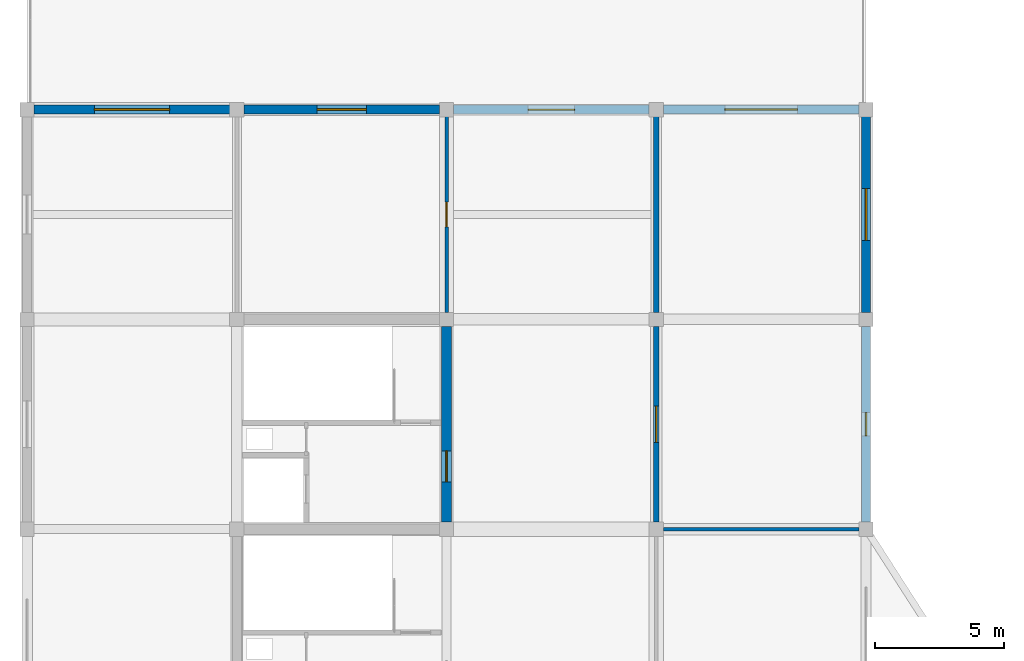
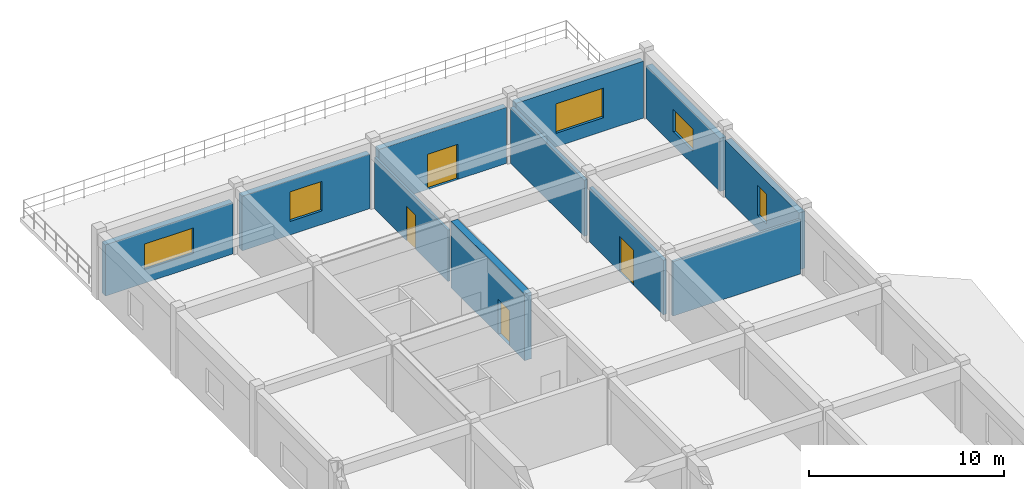
# One storey, part 6 of 7: 11 walls, 5 windows, 4 doors, 9 openings.
"""IFC4 building model written with IfcOpenShell, lengths in metres."""

from ifc_helpers import new_model, si_unit, direction, frame, frame_2d, origin, place, context, subcontext, project, spatial, rectangle, extrude, material, layer, layer_set, type_object, element, fill, save


model = new_model("IFC4")

# Units and contexts
model_context = context("Model", 3, precision=1e-05, world=origin(), true_north=direction((0.0, 1.0)))
body_context = subcontext(model_context, "Body", "Model", "MODEL_VIEW")
ifc_project = project(units=[si_unit("LENGTHUNIT", "METRE"), si_unit("AREAUNIT", "SQUARE_METRE"), si_unit("VOLUMEUNIT", "CUBIC_METRE"), si_unit("PLANEANGLEUNIT", "RADIAN"), si_unit("MASSUNIT", "GRAM", prefix="KILO")], contexts=[model_context])

# Site, building, storey
site_placement = place(None, origin())
site = spatial("IfcSite", under=ifc_project, at=site_placement, CompositionType="ELEMENT")
building_placement = place(site_placement, origin())
building = spatial("IfcBuilding", under=site, at=building_placement, Name="Vaudrelin Polytechnic", CompositionType="ELEMENT")
storey_placement = place(building_placement, frame((0.0, 0.0, 31.7900390625)))
storey = spatial("IfcBuildingStorey", under=building, at=storey_placement, Name="L07", CompositionType="ELEMENT", Elevation=31.7900390625)

# Wall, opening, window
ifc_material_1 = material(Name="Precast concrete 35 MPa with terracotta baguette screen", Category="masonry")
ifc_layer_1 = layer(ifc_material_1, 0.35009765625)
ifc_layer_set_1 = layer_set([ifc_layer_1], Name="Precast concrete 35 MPa with terracotta baguette screen")
wall_type_1 = type_object("IfcWallType", Name="WAL-EW-TERR350", PredefinedType="STANDARD", material=ifc_layer_set_1)
wall_1_placement = place(storey_placement, frame((137.972900390625, 113.39990234375, 0.0), z_axis=(0.0, 0.0, 1.0), x_axis=(1.0, 0.0, 0.0)))
wall_1 = element("IfcWall", 1, at=wall_1_placement, inside=storey, type_object=wall_type_1, Name="Exterior wall L07 N_V47_00", PredefinedType="STANDARD", context=body_context, shape_type="SweptSolid", body=[
    extrude(rectangle(XDim=7.55419921875, YDim=0.35009765625, at=frame_2d((3.777099609375, 0.0))), origin(), (0.0, 0.0, 1.0), 3.2119140625),
])
opening_1_placement = place(wall_1_placement, frame((2.326904296875, 0.0, 0.85009765625)))
opening_1 = element("IfcOpeningElement", 2, at=opening_1_placement, cuts=wall_1, Name="Opening W-L07-N-V47-01", PredefinedType="OPENING", context=body_context, shape_type="SweptSolid", body=[
    extrude(rectangle(XDim=2.89990234375, YDim=1.60009765625, at=frame_2d((1.449951171875, 0.800048828125))), frame((0.0, 0.18505859375, 0.0), z_axis=(0.0, -1.0, 0.0), x_axis=(1.0, 0.0, 0.0)), (0.0, 0.0, 1.0), 0.3701171875),
])
ifc_material_2 = material(Name="Thermally broken aluminium frame with triple low-e glazing", Category="aluminium")
window_type_1 = type_object("IfcWindowType", Name="WIN-WN-46", PartitioningType="SINGLE_PANEL", PredefinedType="WINDOW", material=ifc_material_2)
window_1_placement = place(opening_1_placement, origin())
window_1 = element("IfcWindow", 3, at=window_1_placement, inside=storey, type_object=window_type_1, Name="Facade window L07-N_V47_00", OverallHeight=1.60009765625, OverallWidth=2.89990234375, PartitioningType="SINGLE_PANEL", PredefinedType="WINDOW", context=body_context, shape_type="SweptSolid", body=[
    extrude(rectangle(XDim=2.89990234375, YDim=1.60009765625, at=frame_2d((1.449951171875, 0.800048828125))), frame((0.0, 0.030029296875, 0.0), z_axis=(0.0, -1.0, 0.0), x_axis=(1.0, 0.0, 0.0)), (0.0, 0.0, 1.0), 0.06005859375),
])
fill(opening_1, window_1)

wall_2_placement = place(storey_placement, frame((146.072998046875, 113.39990234375, 0.0), z_axis=(0.0, 0.0, 1.0), x_axis=(1.0, 0.0, 0.0)))
wall_2 = element("IfcWall", 4, at=wall_2_placement, inside=storey, type_object=wall_type_1, Name="Exterior wall L07 N_V47_01", PredefinedType="STANDARD", context=body_context, shape_type="SweptSolid", body=[
    extrude(rectangle(XDim=7.553955078125, YDim=0.35009765625, at=frame_2d((3.77685546875, 0.0))), origin(), (0.0, 0.0, 1.0), 3.411865234375),
])
opening_2_placement = place(wall_2_placement, frame((2.826904296875, 0.0, 0.85009765625)))
opening_2 = element("IfcOpeningElement", 5, at=opening_2_placement, cuts=wall_2, Name="Opening W-L07-N-V47-02", PredefinedType="OPENING", context=body_context, shape_type="SweptSolid", body=[
    extrude(rectangle(XDim=1.89990234375, YDim=1.85009765625, at=frame_2d((0.949951171875, 0.925048828125))), frame((0.0, 0.18505859375, 0.0), z_axis=(0.0, -1.0, 0.0), x_axis=(1.0, 0.0, 0.0)), (0.0, 0.0, 1.0), 0.3701171875),
])
window_type_2 = type_object("IfcWindowType", Name="WIN-WN-47", PartitioningType="SINGLE_PANEL", PredefinedType="WINDOW", material=ifc_material_2)
window_2_placement = place(opening_2_placement, origin())
window_2 = element("IfcWindow", 6, at=window_2_placement, inside=storey, type_object=window_type_2, Name="Facade window L07-N_V47_01", OverallHeight=1.85009765625, OverallWidth=1.89990234375, PartitioningType="SINGLE_PANEL", PredefinedType="WINDOW", context=body_context, shape_type="SweptSolid", body=[
    extrude(rectangle(XDim=1.89990234375, YDim=1.85009765625, at=frame_2d((0.949951171875, 0.925048828125))), frame((0.0, 0.030029296875, 0.0), z_axis=(0.0, -1.0, 0.0), x_axis=(1.0, 0.0, 0.0)), (0.0, 0.0, 1.0), 0.06005859375),
])
fill(opening_2, window_2)

# Wall, opening, door
wall_3_placement = place(storey_placement, frame((154.173095703125, 113.39990234375, 0.0), z_axis=(0.0, 0.0, 1.0), x_axis=(1.0, 0.0, 0.0)))
wall_3 = element("IfcWall", 7, at=wall_3_placement, inside=storey, type_object=wall_type_1, Name="Exterior wall L07 N_V47_02", PredefinedType="STANDARD", context=body_context, shape_type="SweptSolid", body=[
    extrude(rectangle(XDim=7.553955078125, YDim=0.35009765625, at=frame_2d((3.77685546875, 0.0))), origin(), (0.0, 0.0, 1.0), 3.511962890625),
])
opening_3_placement = place(wall_3_placement, frame((2.876953125, 0.0, 0.0)))
opening_3 = element("IfcOpeningElement", 8, at=opening_3_placement, cuts=wall_3, Name="Opening TD-07-01", PredefinedType="OPENING", context=body_context, shape_type="SweptSolid", body=[
    extrude(rectangle(XDim=1.800048828125, YDim=2.199951171875, at=frame_2d((0.89990234375, 1.10009765625))), frame((0.0, 0.18505859375, 0.0), z_axis=(0.0, -1.0, 0.0), x_axis=(1.0, 0.0, 0.0)), (0.0, 0.0, 1.0), 0.3701171875),
])
ifc_material_3 = material(Name="Thermally broken anodised aluminium AA 6063-T6", Category="aluminium")
door_type_1 = type_object("IfcDoorType", Name="DOR-ED-03", OperationType="DOUBLE_SWING_LEFT", PredefinedType="DOOR", material=ifc_material_3)
door_1_placement = place(opening_3_placement, origin())
door_1 = element("IfcDoor", 9, at=door_1_placement, inside=storey, type_object=door_type_1, Name="Exterior exit door TD-07-01", OperationType="DOUBLE_SWING_RIGHT", OverallHeight=2.199951171875, OverallWidth=1.800048828125, PredefinedType="DOOR", context=body_context, shape_type="SweptSolid", body=[
    extrude(rectangle(XDim=1.800048828125, YDim=2.199951171875, at=frame_2d((0.89990234375, 1.10009765625))), frame((0.0, 0.02490234375, 0.0), z_axis=(0.0, -1.0, 0.0), x_axis=(1.0, 0.0, 0.0)), (0.0, 0.0, 1.0), 0.050048828125),
])
fill(opening_3, door_1)

# Wall, opening, window
wall_4_placement = place(storey_placement, frame((162.27294921875, 113.39990234375, 0.0), z_axis=(0.0, 0.0, 1.0), x_axis=(1.0, 0.0, 0.0)))
wall_4 = element("IfcWall", 10, at=wall_4_placement, inside=storey, type_object=wall_type_1, Name="Exterior wall L07 N_V47_03", PredefinedType="STANDARD", context=body_context, shape_type="SweptSolid", body=[
    extrude(rectangle(XDim=7.553955078125, YDim=0.35009765625, at=frame_2d((3.77685546875, 0.0))), origin(), (0.0, 0.0, 1.0), 3.56201171875),
])
opening_4_placement = place(wall_4_placement, frame((2.376953125, 0.0, 0.85009765625)))
opening_4 = element("IfcOpeningElement", 11, at=opening_4_placement, cuts=wall_4, Name="Opening W-L07-N-V47-04", PredefinedType="OPENING", context=body_context, shape_type="SweptSolid", body=[
    extrude(rectangle(XDim=2.800048828125, YDim=1.85009765625, at=frame_2d((1.39990234375, 0.925048828125))), frame((0.0, 0.18505859375, 0.0), z_axis=(0.0, -1.0, 0.0), x_axis=(1.0, 0.0, 0.0)), (0.0, 0.0, 1.0), 0.3701171875),
])
window_type_3 = type_object("IfcWindowType", Name="WIN-WN-48", PartitioningType="SINGLE_PANEL", PredefinedType="WINDOW", material=ifc_material_2)
window_3_placement = place(opening_4_placement, origin())
window_3 = element("IfcWindow", 12, at=window_3_placement, inside=storey, type_object=window_type_3, Name="Facade window L07-N_V47_03", OverallHeight=1.85009765625, OverallWidth=2.800048828125, PartitioningType="SINGLE_PANEL", PredefinedType="WINDOW", context=body_context, shape_type="SweptSolid", body=[
    extrude(rectangle(XDim=2.800048828125, YDim=1.85009765625, at=frame_2d((1.39990234375, 0.925048828125))), frame((0.0, 0.030029296875, 0.0), z_axis=(0.0, -1.0, 0.0), x_axis=(1.0, 0.0, 0.0)), (0.0, 0.0, 1.0), 0.06005859375),
])
fill(opening_4, window_3)

wall_5_placement = place(storey_placement, frame((170.10009765625, 97.472900390625, 0.0), z_axis=(0.0, 0.0, 1.0), x_axis=(0.0, 1.0, 0.0)))
wall_5 = element("IfcWall", 13, at=wall_5_placement, inside=storey, type_object=wall_type_1, Name="Exterior wall L07 E_V4_08", PredefinedType="STANDARD", context=body_context, shape_type="SweptSolid", body=[
    extrude(rectangle(XDim=7.55419921875, YDim=0.35009765625, at=frame_2d((3.777099609375, 0.0))), origin(), (0.0, 0.0, 1.0), 3.56201171875),
])
opening_5_placement = place(wall_5_placement, frame((3.326904296875, 0.0, 0.85009765625)))
opening_5 = element("IfcOpeningElement", 14, at=opening_5_placement, cuts=wall_5, Name="Opening W-L07-E-V4-09", PredefinedType="OPENING", context=body_context, shape_type="SweptSolid", body=[
    extrude(rectangle(XDim=0.89990234375, YDim=1.89990234375, at=frame_2d((0.449951171875, 0.949951171875))), frame((0.0, 0.18505859375, 0.0), z_axis=(0.0, -1.0, 0.0), x_axis=(1.0, 0.0, 0.0)), (0.0, 0.0, 1.0), 0.3701171875),
])
window_type_4 = type_object("IfcWindowType", Name="WIN-WN-09", PartitioningType="SINGLE_PANEL", PredefinedType="WINDOW", material=ifc_material_2)
window_4_placement = place(opening_5_placement, origin())
window_4 = element("IfcWindow", 15, at=window_4_placement, inside=storey, type_object=window_type_4, Name="Facade window L07-E_V4_08", OverallHeight=1.89990234375, OverallWidth=0.89990234375, PartitioningType="SINGLE_PANEL", PredefinedType="WINDOW", context=body_context, shape_type="SweptSolid", body=[
    extrude(rectangle(XDim=0.89990234375, YDim=1.89990234375, at=frame_2d((0.449951171875, 0.949951171875))), frame((0.0, 0.030029296875, 0.0), z_axis=(0.0, -1.0, 0.0), x_axis=(1.0, 0.0, 0.0)), (0.0, 0.0, 1.0), 0.06005859375),
])
fill(opening_5, window_4)

wall_6_placement = place(storey_placement, frame((170.10009765625, 105.572998046875, 0.0), z_axis=(0.0, 0.0, 1.0), x_axis=(0.0, 1.0, 0.0)))
wall_6 = element("IfcWall", 16, at=wall_6_placement, inside=storey, type_object=wall_type_1, Name="Exterior wall L07 E_V4_09", PredefinedType="STANDARD", context=body_context, shape_type="SweptSolid", body=[
    extrude(rectangle(XDim=7.553955078125, YDim=0.35009765625, at=frame_2d((3.77685546875, 0.0))), origin(), (0.0, 0.0, 1.0), 3.31201171875),
])
opening_6_placement = place(wall_6_placement, frame((2.777099609375, 0.0, 0.85009765625)))
opening_6 = element("IfcOpeningElement", 17, at=opening_6_placement, cuts=wall_6, Name="Opening W-L07-E-V4-10", PredefinedType="OPENING", context=body_context, shape_type="SweptSolid", body=[
    extrude(rectangle(XDim=2.0, YDim=1.39990234375, at=frame_2d((1.0, 0.699951171875))), frame((0.0, 0.18505859375, 0.0), z_axis=(0.0, -1.0, 0.0), x_axis=(1.0, 0.0, 0.0)), (0.0, 0.0, 1.0), 0.3701171875),
])
window_type_5 = type_object("IfcWindowType", Name="WIN-WN-10", PartitioningType="SINGLE_PANEL", PredefinedType="WINDOW", material=ifc_material_2)
window_5_placement = place(opening_6_placement, origin())
window_5 = element("IfcWindow", 18, at=window_5_placement, inside=storey, type_object=window_type_5, Name="Facade window L07-E_V4_09", OverallHeight=1.39990234375, OverallWidth=2.0, PartitioningType="SINGLE_PANEL", PredefinedType="WINDOW", context=body_context, shape_type="SweptSolid", body=[
    extrude(rectangle(XDim=2.0, YDim=1.39990234375, at=frame_2d((1.0, 0.699951171875))), frame((0.0, 0.030029296875, 0.0), z_axis=(0.0, -1.0, 0.0), x_axis=(1.0, 0.0, 0.0)), (0.0, 0.0, 1.0), 0.06005859375),
])
fill(opening_6, window_5)

# Wall, opening, door
ifc_material_4 = material(Name="Concrete masonry unit 20 MPa shaft & corridor fire wall", Category="masonry")
ifc_layer_2 = layer(ifc_material_4, 0.199951171875)
ifc_layer_set_2 = layer_set([ifc_layer_2], Name="Concrete masonry unit 20 MPa shaft & corridor fire wall")
wall_type_2 = type_object("IfcWallType", Name="WAL-PW-FIRE120", PredefinedType="PARTITIONING", material=ifc_layer_set_2)
wall_7_placement = place(storey_placement, frame((162.0, 97.472900390625, 0.0), z_axis=(0.0, 0.0, 1.0), x_axis=(0.0, 1.0, 0.0)))
wall_7 = element("IfcWall", 19, at=wall_7_placement, inside=storey, type_object=wall_type_2, Name="Partition L07-009 W", PredefinedType="PARTITIONING", context=body_context, shape_type="SweptSolid", body=[
    extrude(rectangle(XDim=7.55419921875, YDim=0.199951171875, at=frame_2d((3.777099609375, 0.0))), origin(), (0.0, 0.0, 1.0), 3.411865234375),
])
opening_7_placement = place(wall_7_placement, frame((3.076904296875, 0.0, 0.0)))
opening_7 = element("IfcOpeningElement", 20, at=opening_7_placement, cuts=wall_7, Name="Opening D-L07-576", PredefinedType="OPENING", context=body_context, shape_type="SweptSolid", body=[
    extrude(rectangle(XDim=1.39990234375, YDim=2.199951171875, at=frame_2d((0.699951171875, 1.10009765625))), frame((0.0, 0.10986328125, 0.0), z_axis=(0.0, -1.0, 0.0), x_axis=(1.0, 0.0, 0.0)), (0.0, 0.0, 1.0), 0.219970703125),
])
ifc_material_5 = material(Name="Pressed galvanised steel acoustic leaf", Category="steel")
door_type_2 = type_object("IfcDoorType", Name="DOR-ID-PLT1", OperationType="NOTDEFINED", PredefinedType="DOOR", material=ifc_material_5)
door_2_placement = place(opening_7_placement, origin())
door_2 = element("IfcDoor", 21, at=door_2_placement, inside=storey, type_object=door_type_2, Name="Upper Laboratory Exhaust Fan Plant door L07-009", OperationType="DOUBLE_SWING_LEFT", OverallHeight=2.199951171875, OverallWidth=1.39990234375, PredefinedType="DOOR", context=body_context, shape_type="SweptSolid", body=[
    extrude(rectangle(XDim=1.39990234375, YDim=2.199951171875, at=frame_2d((0.699951171875, 1.10009765625))), frame((0.0, 0.02490234375, 0.0), z_axis=(0.0, -1.0, 0.0), x_axis=(1.0, 0.0, 0.0)), (0.0, 0.0, 1.0), 0.050048828125),
])
fill(opening_7, door_2)

# Wall
wall_8_placement = place(storey_placement, frame((162.0, 105.572998046875, 0.0), z_axis=(0.0, 0.0, 1.0), x_axis=(0.0, 1.0, 0.0)))
element("IfcWall", 22, at=wall_8_placement, inside=storey, type_object=wall_type_2, Name="Partition L07-009 W", PredefinedType="PARTITIONING", context=body_context, shape_type="SweptSolid", body=[
    extrude(rectangle(XDim=7.553955078125, YDim=0.199951171875, at=frame_2d((3.77685546875, 0.0))), origin(), (0.0, 0.0, 1.0), 3.511962890625),
])

# Wall, opening, door
ifc_material_6 = material(Name="Acoustic steel-stud office & study room partition", Category="steel")
ifc_layer_3 = layer(ifc_material_6, 0.135009765625)
ifc_layer_set_3 = layer_set([ifc_layer_3], Name="Acoustic steel-stud office & study room partition")
wall_type_3 = type_object("IfcWallType", Name="WAL-PW-OFF135", PredefinedType="PARTITIONING", material=ifc_layer_set_3)
wall_9_placement = place(storey_placement, frame((153.89990234375, 105.572998046875, 0.0), z_axis=(0.0, 0.0, 1.0), x_axis=(0.0, 1.0, 0.0)))
wall_9 = element("IfcWall", 23, at=wall_9_placement, inside=storey, type_object=wall_type_3, Name="Partition L07-005 E", PredefinedType="PARTITIONING", context=body_context, shape_type="SweptSolid", body=[
    extrude(rectangle(XDim=7.553955078125, YDim=0.135009765625, at=frame_2d((3.77685546875, 0.0))), origin(), (0.0, 0.0, 1.0), 3.2119140625),
])
opening_8_placement = place(wall_9_placement, frame((3.302001953125, 0.0, 0.0)))
opening_8 = element("IfcOpeningElement", 24, at=opening_8_placement, cuts=wall_9, Name="Opening D-L07-573", PredefinedType="OPENING", context=body_context, shape_type="SweptSolid", body=[
    extrude(rectangle(XDim=0.949951171875, YDim=2.14990234375, at=frame_2d((0.47509765625, 1.074951171875))), frame((0.0, 0.07763671875, 0.0), z_axis=(0.0, -1.0, 0.0), x_axis=(1.0, 0.0, 0.0)), (0.0, 0.0, 1.0), 0.155029296875),
])
ifc_material_7 = material(Name="Solid-core birch veneer acoustic leaf", Category="wood")
door_type_3 = type_object("IfcDoorType", Name="DOR-ID-OFF1", OperationType="NOTDEFINED", PredefinedType="DOOR", material=ifc_material_7)
door_3_placement = place(opening_8_placement, origin())
door_3 = element("IfcDoor", 25, at=door_3_placement, inside=storey, type_object=door_type_3, Name="North Terrace Access Lounge door L07-005", OperationType="SINGLE_SWING_LEFT", OverallHeight=2.14990234375, OverallWidth=0.949951171875, PredefinedType="DOOR", context=body_context, shape_type="SweptSolid", body=[
    extrude(rectangle(XDim=0.949951171875, YDim=2.14990234375, at=frame_2d((0.47509765625, 1.074951171875))), frame((0.0, 0.02490234375, 0.0), z_axis=(0.0, -1.0, 0.0), x_axis=(1.0, 0.0, 0.0)), (0.0, 0.0, 1.0), 0.050048828125),
])
fill(opening_8, door_3)

# Wall
wall_10_placement = place(storey_placement, frame((162.27294921875, 97.199951171875, 0.0), z_axis=(0.0, 0.0, 1.0), x_axis=(1.0, 0.0, 0.0)))
element("IfcWall", 26, at=wall_10_placement, inside=storey, type_object=wall_type_3, Name="Partition L07-008 N", PredefinedType="PARTITIONING", context=body_context, shape_type="SweptSolid", body=[
    extrude(rectangle(XDim=7.553955078125, YDim=0.135009765625, at=frame_2d((3.77685546875, 0.0))), origin(), (0.0, 0.0, 1.0), 3.411865234375),
])

# Wall, opening, door
ifc_material_8 = material(Name="Concrete 50 MPa", Category="concrete")
ifc_layer_4 = layer(ifc_material_8, 0.39990234375)
ifc_layer_set_4 = layer_set([ifc_layer_4], Name="Concrete 50 MPa")
wall_type_4 = type_object("IfcWallType", Name="WAL-SW-CORE400", PredefinedType="SHEAR", material=ifc_layer_set_4)
wall_11_placement = place(storey_placement, frame((153.89990234375, 97.472900390625, 0.0), z_axis=(0.0, 0.0, 1.0), x_axis=(0.0, 1.0, 0.0)))
wall_11 = element("IfcWall", 27, at=wall_11_placement, inside=storey, type_object=wall_type_4, Name="Core C6 E shear wall L07", PredefinedType="SHEAR", context=body_context, shape_type="SweptSolid", body=[
    extrude(rectangle(XDim=7.55419921875, YDim=0.39990234375, at=frame_2d((3.777099609375, 0.0))), origin(), (0.0, 0.0, 1.0), 4.161865234375),
])
opening_9_placement = place(wall_11_placement, frame((1.550048828125, 0.0, 0.0)))
opening_9 = element("IfcOpeningElement", 28, at=opening_9_placement, cuts=wall_11, Name="Opening D-L07-108", PredefinedType="OPENING", context=body_context, shape_type="SweptSolid", body=[
    extrude(rectangle(XDim=1.199951171875, YDim=2.199951171875, at=frame_2d((0.60009765625, 1.10009765625))), frame((0.0, 0.2099609375, 0.0), z_axis=(0.0, -1.0, 0.0), x_axis=(1.0, 0.0, 0.0)), (0.0, 0.0, 1.0), 0.419921875),
])
door_type_4 = type_object("IfcDoorType", Name="DOR-ID-LB1", OperationType="NOTDEFINED", PredefinedType="DOOR", material=ifc_material_5)
door_4_placement = place(opening_9_placement, origin())
door_4 = element("IfcDoor", 29, at=door_4_placement, inside=storey, type_object=door_type_4, Name="Core C6 lobby fire door L07", OperationType="SINGLE_SWING_RIGHT", OverallHeight=2.199951171875, OverallWidth=1.199951171875, PredefinedType="DOOR", context=body_context, shape_type="SweptSolid", body=[
    extrude(rectangle(XDim=1.199951171875, YDim=2.199951171875, at=frame_2d((0.60009765625, 1.10009765625))), frame((0.0, 0.02490234375, 0.0), z_axis=(0.0, -1.0, 0.0), x_axis=(1.0, 0.0, 0.0)), (0.0, 0.0, 1.0), 0.050048828125),
])
fill(opening_9, door_4)

save(model, "model.ifc")
